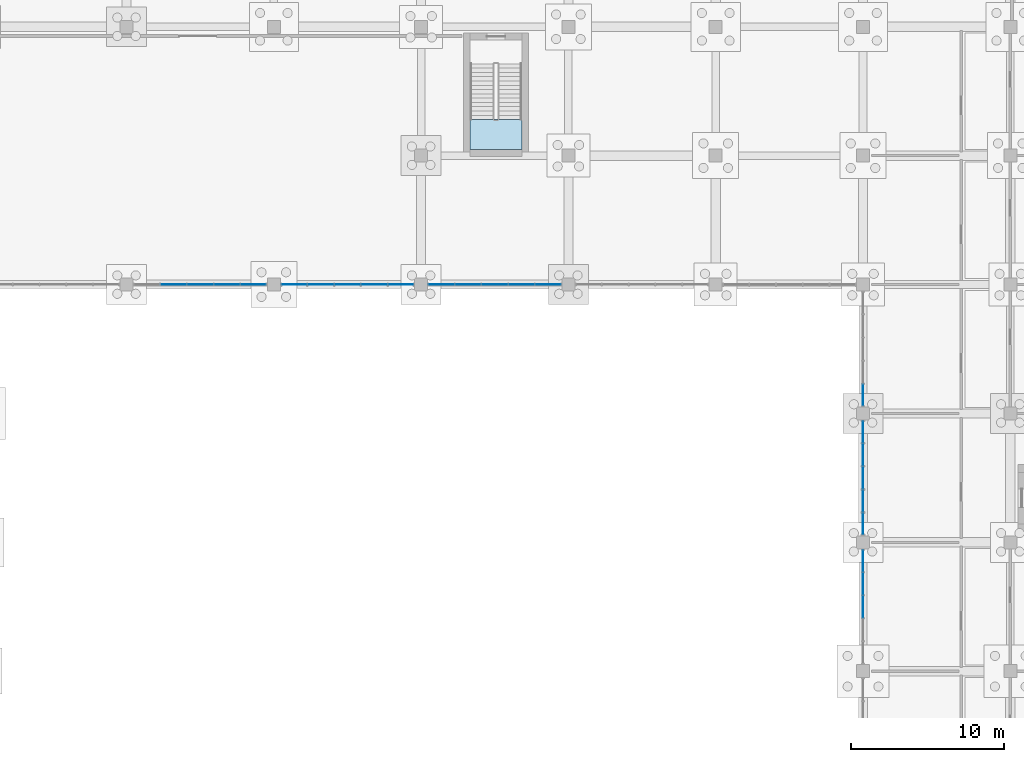
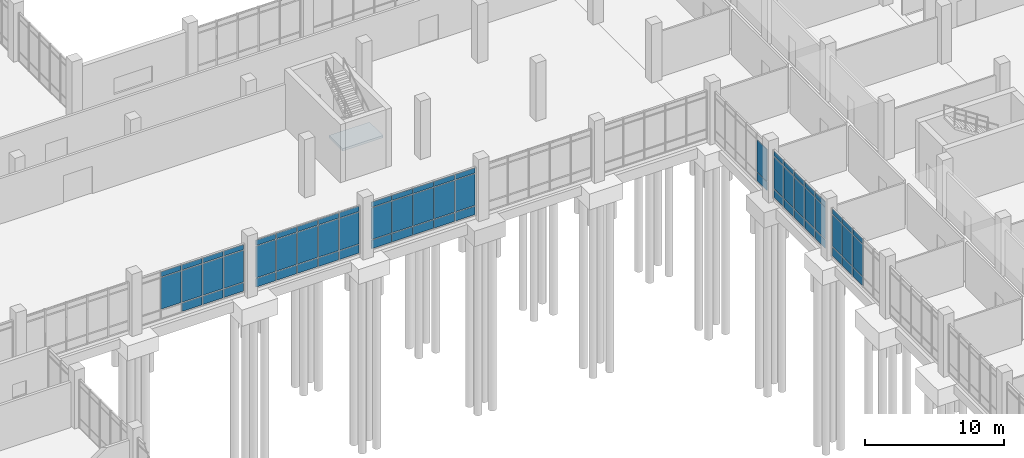
# One storey, part 79 of 136: 67 plates, 1 slab, 7 elements without a shape of their own.
"""IFC4 building model written with IfcOpenShell, lengths in metres."""

from ifc_helpers import new_model, si_unit, direction, frame, origin, origin_2d, place, context, subcontext, project, spatial, polyline, rectangle, outline, extrude, material, layer, layer_set, type_object, element, aggregate, save


model = new_model("IFC4")

# Units and contexts
model_context = context("Model", 3, precision=1e-05, world=origin(), true_north=direction((0.0, 1.0)))
body_context = subcontext(model_context, "Body", "Model", "MODEL_VIEW")
ifc_project = project(units=[si_unit("LENGTHUNIT", "METRE"), si_unit("AREAUNIT", "SQUARE_METRE"), si_unit("VOLUMEUNIT", "CUBIC_METRE"), si_unit("PLANEANGLEUNIT", "RADIAN"), si_unit("MASSUNIT", "GRAM", prefix="KILO")], contexts=[model_context])

# Site, building, storey
site_placement = place(None, origin())
site = spatial("IfcSite", under=ifc_project, at=site_placement, CompositionType="ELEMENT")
building_placement = place(site_placement, origin())
building = spatial("IfcBuilding", under=site, at=building_placement, Name="Oolite Switchyard Hospital", CompositionType="ELEMENT")
storey_placement = place(building_placement, origin())
storey = spatial("IfcBuildingStorey", under=building, at=storey_placement, Name="L00", CompositionType="ELEMENT", Elevation=0.0)

# Curtain wall, plates
ifc_material_1 = material(Name="Thermally broken aluminum frame with laminated impact glazing", Category="aluminium")
curtain_wall_type_1 = type_object("IfcCurtainWallType", Name="CW-UNIT-96X51", PredefinedType="USERDEFINED", material=ifc_material_1)
curtain_wall_1_placement = place(storey_placement, origin())
curtain_wall_1 = element("IfcCurtainWall", 1, at=curtain_wall_1_placement, inside=storey, type_object=curtain_wall_type_1, Name="L00 Unitised Curtain Wall 33", ObjectType="UNITISED", PredefinedType="USERDEFINED")
ifc_material_2 = material(Name="Insulated fluoropolymer-coated aluminum spandrel panel", Category="aluminium")
ifc_layer_1 = layer(ifc_material_2, 0.054931640625)
ifc_layer_set_1 = layer_set([ifc_layer_1], Name="CW-PNL-SPN55")
plate_type_1 = type_object("IfcPlateType", Name="CW-PNL-SPN55", PredefinedType="CURTAIN_PANEL", material=ifc_layer_set_1)
plate_1_placement = place(storey_placement, frame((94.673095703125, 84.0, 0.0751953125), z_axis=(0.0, 0.0, 1.0), x_axis=(-1.0, 0.0, 0.0)))
plate_1 = element("IfcPlate", 2, at=plate_1_placement, type_object=plate_type_1, Name="CW-01 panel 1.1", PredefinedType="CURTAIN_PANEL", context=body_context, shape_type="SweptSolid", body=[
    extrude(rectangle(XDim=1.654052734375, YDim=0.054931640625, at=origin_2d()), origin(), (0.0, 0.0, 1.0), 0.737548828125),
])
plate_2_placement = place(storey_placement, frame((94.673095703125, 84.0, 0.8876953125), z_axis=(0.0, 0.0, 1.0), x_axis=(-1.0, 0.0, 0.0)))
plate_2 = element("IfcPlate", 3, at=plate_2_placement, type_object=plate_type_1, Name="CW-01 panel 1.2", PredefinedType="CURTAIN_PANEL", context=body_context, shape_type="SweptSolid", body=[
    extrude(rectangle(XDim=1.654052734375, YDim=0.054931640625, at=origin_2d()), origin(), (0.0, 0.0, 1.0), 2.764892578125),
])
plate_3_placement = place(storey_placement, frame((94.673095703125, 84.0, 3.7275390625), z_axis=(0.0, 0.0, 1.0), x_axis=(-1.0, 0.0, 0.0)))
plate_3 = element("IfcPlate", 4, at=plate_3_placement, type_object=plate_type_1, Name="CW-01 panel 1.3", PredefinedType="CURTAIN_PANEL", context=body_context, shape_type="SweptSolid", body=[
    extrude(rectangle(XDim=1.654052734375, YDim=0.054931640625, at=origin_2d()), origin(), (0.0, 0.0, 1.0), 0.4375),
])
plate_4_placement = place(storey_placement, frame((92.944091796875, 84.0, 0.0751953125), z_axis=(0.0, 0.0, 1.0), x_axis=(-1.0, 0.0, 0.0)))
plate_4 = element("IfcPlate", 5, at=plate_4_placement, type_object=plate_type_1, Name="CW-01 panel 2.1", PredefinedType="CURTAIN_PANEL", context=body_context, shape_type="SweptSolid", body=[
    extrude(rectangle(XDim=1.68408203125, YDim=0.054931640625, at=origin_2d()), origin(), (0.0, 0.0, 1.0), 0.737548828125),
])
plate_5_placement = place(storey_placement, frame((92.944091796875, 84.0, 0.8876953125), z_axis=(0.0, 0.0, 1.0), x_axis=(-1.0, 0.0, 0.0)))
plate_5 = element("IfcPlate", 6, at=plate_5_placement, type_object=plate_type_1, Name="CW-01 panel 2.2", PredefinedType="CURTAIN_PANEL", context=body_context, shape_type="SweptSolid", body=[
    extrude(rectangle(XDim=1.68408203125, YDim=0.054931640625, at=origin_2d()), origin(), (0.0, 0.0, 1.0), 2.764892578125),
])
plate_6_placement = place(storey_placement, frame((92.944091796875, 84.0, 3.7275390625), z_axis=(0.0, 0.0, 1.0), x_axis=(-1.0, 0.0, 0.0)))
plate_6 = element("IfcPlate", 7, at=plate_6_placement, type_object=plate_type_1, Name="CW-01 panel 2.3", PredefinedType="CURTAIN_PANEL", context=body_context, shape_type="SweptSolid", body=[
    extrude(rectangle(XDim=1.68408203125, YDim=0.054931640625, at=origin_2d()), origin(), (0.0, 0.0, 1.0), 0.4375),
])
plate_7_placement = place(storey_placement, frame((91.199951171875, 84.0, 0.0751953125), z_axis=(0.0, 0.0, 1.0), x_axis=(-1.0, 0.0, 0.0)))
plate_7 = element("IfcPlate", 8, at=plate_7_placement, type_object=plate_type_1, Name="CW-01 panel 3.1", PredefinedType="CURTAIN_PANEL", context=body_context, shape_type="SweptSolid", body=[
    extrude(rectangle(XDim=1.68408203125, YDim=0.054931640625, at=origin_2d()), origin(), (0.0, 0.0, 1.0), 0.737548828125),
])
plate_8_placement = place(storey_placement, frame((91.199951171875, 84.0, 0.8876953125), z_axis=(0.0, 0.0, 1.0), x_axis=(-1.0, 0.0, 0.0)))
plate_8 = element("IfcPlate", 9, at=plate_8_placement, type_object=plate_type_1, Name="CW-01 panel 3.2", PredefinedType="CURTAIN_PANEL", context=body_context, shape_type="SweptSolid", body=[
    extrude(rectangle(XDim=1.68408203125, YDim=0.054931640625, at=origin_2d()), origin(), (0.0, 0.0, 1.0), 2.764892578125),
])
plate_9_placement = place(storey_placement, frame((91.199951171875, 84.0, 3.7275390625), z_axis=(0.0, 0.0, 1.0), x_axis=(-1.0, 0.0, 0.0)))
plate_9 = element("IfcPlate", 10, at=plate_9_placement, type_object=plate_type_1, Name="CW-01 panel 3.3", PredefinedType="CURTAIN_PANEL", context=body_context, shape_type="SweptSolid", body=[
    extrude(rectangle(XDim=1.68408203125, YDim=0.054931640625, at=origin_2d()), origin(), (0.0, 0.0, 1.0), 0.4375),
])
plate_10_placement = place(storey_placement, frame((89.4560546875, 84.0, 0.0751953125), z_axis=(0.0, 0.0, 1.0), x_axis=(-1.0, 0.0, 0.0)))
plate_10 = element("IfcPlate", 11, at=plate_10_placement, type_object=plate_type_1, Name="CW-01 panel 4.1", PredefinedType="CURTAIN_PANEL", context=body_context, shape_type="SweptSolid", body=[
    extrude(rectangle(XDim=1.68408203125, YDim=0.054931640625, at=origin_2d()), origin(), (0.0, 0.0, 1.0), 0.737548828125),
])
plate_11_placement = place(storey_placement, frame((89.4560546875, 84.0, 0.8876953125), z_axis=(0.0, 0.0, 1.0), x_axis=(-1.0, 0.0, 0.0)))
plate_11 = element("IfcPlate", 12, at=plate_11_placement, type_object=plate_type_1, Name="CW-01 panel 4.2", PredefinedType="CURTAIN_PANEL", context=body_context, shape_type="SweptSolid", body=[
    extrude(rectangle(XDim=1.68408203125, YDim=0.054931640625, at=origin_2d()), origin(), (0.0, 0.0, 1.0), 2.764892578125),
])
plate_12_placement = place(storey_placement, frame((89.4560546875, 84.0, 3.7275390625), z_axis=(0.0, 0.0, 1.0), x_axis=(-1.0, 0.0, 0.0)))
plate_12 = element("IfcPlate", 13, at=plate_12_placement, type_object=plate_type_1, Name="CW-01 panel 4.3", PredefinedType="CURTAIN_PANEL", context=body_context, shape_type="SweptSolid", body=[
    extrude(rectangle(XDim=1.68408203125, YDim=0.054931640625, at=origin_2d()), origin(), (0.0, 0.0, 1.0), 0.4375),
])
plate_13_placement = place(storey_placement, frame((87.72705078125, 84.0, 0.0751953125), z_axis=(0.0, 0.0, 1.0), x_axis=(-1.0, 0.0, 0.0)))
plate_13 = element("IfcPlate", 14, at=plate_13_placement, type_object=plate_type_1, Name="CW-01 panel 5.1", PredefinedType="CURTAIN_PANEL", context=body_context, shape_type="SweptSolid", body=[
    extrude(rectangle(XDim=1.654052734375, YDim=0.054931640625, at=origin_2d()), origin(), (0.0, 0.0, 1.0), 0.737548828125),
])
plate_14_placement = place(storey_placement, frame((87.72705078125, 84.0, 0.8876953125), z_axis=(0.0, 0.0, 1.0), x_axis=(-1.0, 0.0, 0.0)))
plate_14 = element("IfcPlate", 15, at=plate_14_placement, type_object=plate_type_1, Name="CW-01 panel 5.2", PredefinedType="CURTAIN_PANEL", context=body_context, shape_type="SweptSolid", body=[
    extrude(rectangle(XDim=1.654052734375, YDim=0.054931640625, at=origin_2d()), origin(), (0.0, 0.0, 1.0), 2.764892578125),
])
plate_15_placement = place(storey_placement, frame((87.72705078125, 84.0, 3.7275390625), z_axis=(0.0, 0.0, 1.0), x_axis=(-1.0, 0.0, 0.0)))
plate_15 = element("IfcPlate", 16, at=plate_15_placement, type_object=plate_type_1, Name="CW-01 panel 5.3", PredefinedType="CURTAIN_PANEL", context=body_context, shape_type="SweptSolid", body=[
    extrude(rectangle(XDim=1.654052734375, YDim=0.054931640625, at=origin_2d()), origin(), (0.0, 0.0, 1.0), 0.4375),
])
aggregate(curtain_wall_1, [plate_1, plate_2, plate_3, plate_4, plate_5, plate_6, plate_7, plate_8, plate_9, plate_10, plate_11, plate_12, plate_13, plate_14, plate_15])

curtain_wall_type_2 = type_object("IfcCurtainWallType", Name="CW-UNIT-84X51", PredefinedType="USERDEFINED", material=ifc_material_1)
curtain_wall_2_placement = place(storey_placement, origin())
curtain_wall_2 = element("IfcCurtainWall", 17, at=curtain_wall_2_placement, inside=storey, type_object=curtain_wall_type_2, Name="L00 Unitised Curtain Wall 72", ObjectType="UNITISED", PredefinedType="USERDEFINED")
plate_16_placement = place(storey_placement, frame((115.199951171875, 76.806884765625, 0.06005859375), z_axis=(0.0, 0.0, 1.0), x_axis=(0.0, 1.0, 0.0)))
plate_16 = element("IfcPlate", 18, at=plate_16_placement, type_object=plate_type_1, Name="CW-06 panel 1.1", PredefinedType="CURTAIN_PANEL", context=body_context, shape_type="SweptSolid", body=[
    extrude(rectangle(XDim=1.4140625, YDim=0.054931640625, at=origin_2d()), origin(), (0.0, 0.0, 1.0), 0.760009765625),
])
plate_17_placement = place(storey_placement, frame((115.199951171875, 76.806884765625, 0.8798828125), z_axis=(0.0, 0.0, 1.0), x_axis=(0.0, 1.0, 0.0)))
plate_17 = element("IfcPlate", 19, at=plate_17_placement, type_object=plate_type_1, Name="CW-06 panel 1.2", PredefinedType="CURTAIN_PANEL", context=body_context, shape_type="SweptSolid", body=[
    extrude(rectangle(XDim=1.4140625, YDim=0.054931640625, at=origin_2d()), origin(), (0.0, 0.0, 1.0), 2.780029296875),
])
aggregate(curtain_wall_2, [plate_16, plate_17])

curtain_wall_3_placement = place(storey_placement, origin())
curtain_wall_3 = element("IfcCurtainWall", 20, at=curtain_wall_3_placement, inside=storey, type_object=curtain_wall_type_1, Name="L00 Unitised Curtain Wall 31", ObjectType="UNITISED", PredefinedType="USERDEFINED")
ifc_material_3 = material(Name="Laminated hurricane-impact insulated glazing unit", Category="glass")
ifc_layer_2 = layer(ifc_material_3, 0.028076171875)
ifc_layer_set_2 = layer_set([ifc_layer_2], Name="CW-PNL-VIS28")
plate_type_2 = type_object("IfcPlateType", Name="CW-PNL-VIS28", PredefinedType="CURTAIN_PANEL", material=ifc_layer_set_2)
plate_18_placement = place(storey_placement, frame((75.470458984375, 84.0, 0.0751953125), z_axis=(0.0, 0.0, 1.0), x_axis=(-1.0, 0.0, 0.0)))
plate_18 = element("IfcPlate", 21, at=plate_18_placement, type_object=plate_type_2, Name="CW-01 panel 1.1", PredefinedType="CURTAIN_PANEL", context=body_context, shape_type="SweptSolid", body=[
    extrude(rectangle(XDim=1.638916015625, YDim=0.028076171875, at=origin_2d()), origin(), (0.0, 0.0, 1.0), 0.737548828125),
])
plate_19_placement = place(storey_placement, frame((75.470458984375, 84.0, 0.8876953125), z_axis=(0.0, 0.0, 1.0), x_axis=(-1.0, 0.0, 0.0)))
plate_19 = element("IfcPlate", 22, at=plate_19_placement, type_object=plate_type_2, Name="CW-01 panel 1.2", PredefinedType="CURTAIN_PANEL", context=body_context, shape_type="SweptSolid", body=[
    extrude(rectangle(XDim=1.638916015625, YDim=0.028076171875, at=origin_2d()), origin(), (0.0, 0.0, 1.0), 2.764892578125),
])
plate_20_placement = place(storey_placement, frame((75.470458984375, 84.0, 3.7275390625), z_axis=(0.0, 0.0, 1.0), x_axis=(-1.0, 0.0, 0.0)))
plate_20 = element("IfcPlate", 23, at=plate_20_placement, type_object=plate_type_2, Name="CW-01 panel 1.3", PredefinedType="CURTAIN_PANEL", context=body_context, shape_type="SweptSolid", body=[
    extrude(rectangle(XDim=1.638916015625, YDim=0.028076171875, at=origin_2d()), origin(), (0.0, 0.0, 1.0), 0.4375),
])
plate_21_placement = place(storey_placement, frame((73.743896484375, 84.0, 0.0751953125), z_axis=(0.0, 0.0, 1.0), x_axis=(-1.0, 0.0, 0.0)))
plate_21 = element("IfcPlate", 24, at=plate_21_placement, type_object=plate_type_2, Name="CW-01 panel 2.1", PredefinedType="CURTAIN_PANEL", context=body_context, shape_type="SweptSolid", body=[
    extrude(rectangle(XDim=1.674072265625, YDim=0.028076171875, at=origin_2d()), origin(), (0.0, 0.0, 1.0), 0.737548828125),
])
plate_22_placement = place(storey_placement, frame((73.743896484375, 84.0, 0.8876953125), z_axis=(0.0, 0.0, 1.0), x_axis=(-1.0, 0.0, 0.0)))
plate_22 = element("IfcPlate", 25, at=plate_22_placement, type_object=plate_type_2, Name="CW-01 panel 2.2", PredefinedType="CURTAIN_PANEL", context=body_context, shape_type="SweptSolid", body=[
    extrude(rectangle(XDim=1.674072265625, YDim=0.028076171875, at=origin_2d()), origin(), (0.0, 0.0, 1.0), 2.764892578125),
])
plate_23_placement = place(storey_placement, frame((73.743896484375, 84.0, 3.7275390625), z_axis=(0.0, 0.0, 1.0), x_axis=(-1.0, 0.0, 0.0)))
plate_23 = element("IfcPlate", 26, at=plate_23_placement, type_object=plate_type_2, Name="CW-01 panel 2.3", PredefinedType="CURTAIN_PANEL", context=body_context, shape_type="SweptSolid", body=[
    extrude(rectangle(XDim=1.674072265625, YDim=0.028076171875, at=origin_2d()), origin(), (0.0, 0.0, 1.0), 0.4375),
])
plate_24_placement = place(storey_placement, frame((72.0, 84.0, 0.0751953125), z_axis=(0.0, 0.0, 1.0), x_axis=(-1.0, 0.0, 0.0)))
plate_24 = element("IfcPlate", 27, at=plate_24_placement, type_object=plate_type_2, Name="CW-01 panel 3.1", PredefinedType="CURTAIN_PANEL", context=body_context, shape_type="SweptSolid", body=[
    extrude(rectangle(XDim=1.674072265625, YDim=0.028076171875, at=origin_2d()), origin(), (0.0, 0.0, 1.0), 0.737548828125),
])
plate_25_placement = place(storey_placement, frame((72.0, 84.0, 0.8876953125), z_axis=(0.0, 0.0, 1.0), x_axis=(-1.0, 0.0, 0.0)))
plate_25 = element("IfcPlate", 28, at=plate_25_placement, type_object=plate_type_2, Name="CW-01 panel 3.2", PredefinedType="CURTAIN_PANEL", context=body_context, shape_type="SweptSolid", body=[
    extrude(rectangle(XDim=1.674072265625, YDim=0.028076171875, at=origin_2d()), origin(), (0.0, 0.0, 1.0), 2.764892578125),
])
plate_26_placement = place(storey_placement, frame((72.0, 84.0, 3.7275390625), z_axis=(0.0, 0.0, 1.0), x_axis=(-1.0, 0.0, 0.0)))
plate_26 = element("IfcPlate", 29, at=plate_26_placement, type_object=plate_type_2, Name="CW-01 panel 3.3", PredefinedType="CURTAIN_PANEL", context=body_context, shape_type="SweptSolid", body=[
    extrude(rectangle(XDim=1.674072265625, YDim=0.028076171875, at=origin_2d()), origin(), (0.0, 0.0, 1.0), 0.4375),
])
plate_27_placement = place(storey_placement, frame((70.256103515625, 84.0, 0.8876953125), z_axis=(0.0, 0.0, 1.0), x_axis=(-1.0, 0.0, 0.0)))
plate_27 = element("IfcPlate", 30, at=plate_27_placement, type_object=plate_type_2, Name="CW-01 panel 4.2", PredefinedType="CURTAIN_PANEL", context=body_context, shape_type="SweptSolid", body=[
    extrude(rectangle(XDim=1.674072265625, YDim=0.028076171875, at=origin_2d()), origin(), (0.0, 0.0, 1.0), 2.764892578125),
])
plate_28_placement = place(storey_placement, frame((70.256103515625, 84.0, 3.7275390625), z_axis=(0.0, 0.0, 1.0), x_axis=(-1.0, 0.0, 0.0)))
plate_28 = element("IfcPlate", 31, at=plate_28_placement, type_object=plate_type_2, Name="CW-01 panel 4.3", PredefinedType="CURTAIN_PANEL", context=body_context, shape_type="SweptSolid", body=[
    extrude(rectangle(XDim=1.674072265625, YDim=0.028076171875, at=origin_2d()), origin(), (0.0, 0.0, 1.0), 0.4375),
])
aggregate(curtain_wall_3, [plate_18, plate_19, plate_20, plate_21, plate_22, plate_23, plate_24, plate_25, plate_26, plate_27, plate_28])

curtain_wall_4_placement = place(storey_placement, origin())
curtain_wall_4 = element("IfcCurtainWall", 32, at=curtain_wall_4_placement, inside=storey, type_object=curtain_wall_type_2, Name="L00 Unitised Curtain Wall 70", ObjectType="UNITISED", PredefinedType="USERDEFINED")
plate_29_placement = place(storey_placement, frame((115.199951171875, 63.0, 0.06005859375), z_axis=(0.0, 0.0, 1.0), x_axis=(0.0, 1.0, 0.0)))
plate_29 = element("IfcPlate", 33, at=plate_29_placement, type_object=plate_type_2, Name="CW-06 panel 3.1", PredefinedType="CURTAIN_PANEL", context=body_context, shape_type="SweptSolid", body=[
    extrude(rectangle(XDim=1.43408203125, YDim=0.028076171875, at=origin_2d()), origin(), (0.0, 0.0, 1.0), 0.760009765625),
])
plate_30_placement = place(storey_placement, frame((115.199951171875, 63.0, 0.8798828125), z_axis=(0.0, 0.0, 1.0), x_axis=(0.0, 1.0, 0.0)))
plate_30 = element("IfcPlate", 34, at=plate_30_placement, type_object=plate_type_2, Name="CW-06 panel 3.2", PredefinedType="CURTAIN_PANEL", context=body_context, shape_type="SweptSolid", body=[
    extrude(rectangle(XDim=1.43408203125, YDim=0.028076171875, at=origin_2d()), origin(), (0.0, 0.0, 1.0), 2.780029296875),
])
plate_31_placement = place(storey_placement, frame((115.199951171875, 63.0, 3.719970703125), z_axis=(0.0, 0.0, 1.0), x_axis=(0.0, 1.0, 0.0)))
plate_31 = element("IfcPlate", 35, at=plate_31_placement, type_object=plate_type_2, Name="CW-06 panel 3.3", PredefinedType="CURTAIN_PANEL", context=body_context, shape_type="SweptSolid", body=[
    extrude(rectangle(XDim=1.43408203125, YDim=0.028076171875, at=origin_2d()), origin(), (0.0, 0.0, 1.0), 0.4599609375),
])
plate_32_placement = place(storey_placement, frame((115.199951171875, 64.50390625, 0.06005859375), z_axis=(0.0, 0.0, 1.0), x_axis=(0.0, 1.0, 0.0)))
plate_32 = element("IfcPlate", 36, at=plate_32_placement, type_object=plate_type_2, Name="CW-06 panel 4.1", PredefinedType="CURTAIN_PANEL", context=body_context, shape_type="SweptSolid", body=[
    extrude(rectangle(XDim=1.43408203125, YDim=0.028076171875, at=origin_2d()), origin(), (0.0, 0.0, 1.0), 0.760009765625),
])
plate_33_placement = place(storey_placement, frame((115.199951171875, 64.50390625, 0.8798828125), z_axis=(0.0, 0.0, 1.0), x_axis=(0.0, 1.0, 0.0)))
plate_33 = element("IfcPlate", 37, at=plate_33_placement, type_object=plate_type_2, Name="CW-06 panel 4.2", PredefinedType="CURTAIN_PANEL", context=body_context, shape_type="SweptSolid", body=[
    extrude(rectangle(XDim=1.43408203125, YDim=0.028076171875, at=origin_2d()), origin(), (0.0, 0.0, 1.0), 2.780029296875),
])
plate_34_placement = place(storey_placement, frame((115.199951171875, 64.50390625, 3.719970703125), z_axis=(0.0, 0.0, 1.0), x_axis=(0.0, 1.0, 0.0)))
plate_34 = element("IfcPlate", 38, at=plate_34_placement, type_object=plate_type_2, Name="CW-06 panel 4.3", PredefinedType="CURTAIN_PANEL", context=body_context, shape_type="SweptSolid", body=[
    extrude(rectangle(XDim=1.43408203125, YDim=0.028076171875, at=origin_2d()), origin(), (0.0, 0.0, 1.0), 0.4599609375),
])
plate_35_placement = place(storey_placement, frame((115.199951171875, 65.990478515625, 0.06005859375), z_axis=(0.0, 0.0, 1.0), x_axis=(0.0, 1.0, 0.0)))
plate_35 = element("IfcPlate", 39, at=plate_35_placement, type_object=plate_type_2, Name="CW-06 panel 5.1", PredefinedType="CURTAIN_PANEL", context=body_context, shape_type="SweptSolid", body=[
    extrude(rectangle(XDim=1.39892578125, YDim=0.028076171875, at=origin_2d()), origin(), (0.0, 0.0, 1.0), 0.760009765625),
])
plate_36_placement = place(storey_placement, frame((115.199951171875, 65.990478515625, 0.8798828125), z_axis=(0.0, 0.0, 1.0), x_axis=(0.0, 1.0, 0.0)))
plate_36 = element("IfcPlate", 40, at=plate_36_placement, type_object=plate_type_2, Name="CW-06 panel 5.2", PredefinedType="CURTAIN_PANEL", context=body_context, shape_type="SweptSolid", body=[
    extrude(rectangle(XDim=1.39892578125, YDim=0.028076171875, at=origin_2d()), origin(), (0.0, 0.0, 1.0), 2.780029296875),
])
plate_37_placement = place(storey_placement, frame((115.199951171875, 65.990478515625, 3.719970703125), z_axis=(0.0, 0.0, 1.0), x_axis=(0.0, 1.0, 0.0)))
plate_37 = element("IfcPlate", 41, at=plate_37_placement, type_object=plate_type_2, Name="CW-06 panel 5.3", PredefinedType="CURTAIN_PANEL", context=body_context, shape_type="SweptSolid", body=[
    extrude(rectangle(XDim=1.39892578125, YDim=0.028076171875, at=origin_2d()), origin(), (0.0, 0.0, 1.0), 0.4599609375),
])
aggregate(curtain_wall_4, [plate_29, plate_30, plate_31, plate_32, plate_33, plate_34, plate_35, plate_36, plate_37])

curtain_wall_5_placement = place(storey_placement, origin())
curtain_wall_5 = element("IfcCurtainWall", 42, at=curtain_wall_5_placement, inside=storey, type_object=curtain_wall_type_1, Name="L00 Unitised Curtain Wall 32", ObjectType="UNITISED", PredefinedType="USERDEFINED")
ifc_layer_3 = layer(ifc_material_3, 0.035888671875)
ifc_layer_set_3 = layer_set([ifc_layer_3], Name="CW-PNL-VIS36")
plate_type_3 = type_object("IfcPlateType", Name="CW-PNL-VIS36", PredefinedType="CURTAIN_PANEL", material=ifc_layer_set_3)
plate_38_placement = place(storey_placement, frame((85.0693359375, 84.0, 0.06005859375), z_axis=(0.0, 0.0, 1.0), x_axis=(-1.0, 0.0, 0.0)))
plate_38 = element("IfcPlate", 43, at=plate_38_placement, type_object=plate_type_3, Name="CW-01 panel 1.1", PredefinedType="CURTAIN_PANEL", context=body_context, shape_type="SweptSolid", body=[
    extrude(rectangle(XDim=1.631591796875, YDim=0.035888671875, at=origin_2d()), origin(), (0.0, 0.0, 1.0), 0.760009765625),
])
plate_39_placement = place(storey_placement, frame((85.0693359375, 84.0, 0.8798828125), z_axis=(0.0, 0.0, 1.0), x_axis=(-1.0, 0.0, 0.0)))
plate_39 = element("IfcPlate", 44, at=plate_39_placement, type_object=plate_type_3, Name="CW-01 panel 1.2", PredefinedType="CURTAIN_PANEL", context=body_context, shape_type="SweptSolid", body=[
    extrude(rectangle(XDim=1.631591796875, YDim=0.035888671875, at=origin_2d()), origin(), (0.0, 0.0, 1.0), 2.780029296875),
])
plate_40_placement = place(storey_placement, frame((85.0693359375, 84.0, 3.719970703125), z_axis=(0.0, 0.0, 1.0), x_axis=(-1.0, 0.0, 0.0)))
plate_40 = element("IfcPlate", 45, at=plate_40_placement, type_object=plate_type_3, Name="CW-01 panel 1.3", PredefinedType="CURTAIN_PANEL", context=body_context, shape_type="SweptSolid", body=[
    extrude(rectangle(XDim=1.631591796875, YDim=0.035888671875, at=origin_2d()), origin(), (0.0, 0.0, 1.0), 0.4599609375),
])
plate_41_placement = place(storey_placement, frame((83.343994140625, 84.0, 0.06005859375), z_axis=(0.0, 0.0, 1.0), x_axis=(-1.0, 0.0, 0.0)))
plate_41 = element("IfcPlate", 46, at=plate_41_placement, type_object=plate_type_3, Name="CW-01 panel 2.1", PredefinedType="CURTAIN_PANEL", context=body_context, shape_type="SweptSolid", body=[
    extrude(rectangle(XDim=1.6689453125, YDim=0.035888671875, at=origin_2d()), origin(), (0.0, 0.0, 1.0), 0.760009765625),
])
plate_42_placement = place(storey_placement, frame((83.343994140625, 84.0, 0.8798828125), z_axis=(0.0, 0.0, 1.0), x_axis=(-1.0, 0.0, 0.0)))
plate_42 = element("IfcPlate", 47, at=plate_42_placement, type_object=plate_type_3, Name="CW-01 panel 2.2", PredefinedType="CURTAIN_PANEL", context=body_context, shape_type="SweptSolid", body=[
    extrude(rectangle(XDim=1.6689453125, YDim=0.035888671875, at=origin_2d()), origin(), (0.0, 0.0, 1.0), 2.780029296875),
])
plate_43_placement = place(storey_placement, frame((83.343994140625, 84.0, 3.719970703125), z_axis=(0.0, 0.0, 1.0), x_axis=(-1.0, 0.0, 0.0)))
plate_43 = element("IfcPlate", 48, at=plate_43_placement, type_object=plate_type_3, Name="CW-01 panel 2.3", PredefinedType="CURTAIN_PANEL", context=body_context, shape_type="SweptSolid", body=[
    extrude(rectangle(XDim=1.6689453125, YDim=0.035888671875, at=origin_2d()), origin(), (0.0, 0.0, 1.0), 0.4599609375),
])
plate_44_placement = place(storey_placement, frame((81.60009765625, 84.0, 0.06005859375), z_axis=(0.0, 0.0, 1.0), x_axis=(-1.0, 0.0, 0.0)))
plate_44 = element("IfcPlate", 49, at=plate_44_placement, type_object=plate_type_3, Name="CW-01 panel 3.1", PredefinedType="CURTAIN_PANEL", context=body_context, shape_type="SweptSolid", body=[
    extrude(rectangle(XDim=1.6689453125, YDim=0.035888671875, at=origin_2d()), origin(), (0.0, 0.0, 1.0), 0.760009765625),
])
plate_45_placement = place(storey_placement, frame((81.60009765625, 84.0, 0.8798828125), z_axis=(0.0, 0.0, 1.0), x_axis=(-1.0, 0.0, 0.0)))
plate_45 = element("IfcPlate", 50, at=plate_45_placement, type_object=plate_type_3, Name="CW-01 panel 3.2", PredefinedType="CURTAIN_PANEL", context=body_context, shape_type="SweptSolid", body=[
    extrude(rectangle(XDim=1.6689453125, YDim=0.035888671875, at=origin_2d()), origin(), (0.0, 0.0, 1.0), 2.780029296875),
])
plate_46_placement = place(storey_placement, frame((81.60009765625, 84.0, 3.719970703125), z_axis=(0.0, 0.0, 1.0), x_axis=(-1.0, 0.0, 0.0)))
plate_46 = element("IfcPlate", 51, at=plate_46_placement, type_object=plate_type_3, Name="CW-01 panel 3.3", PredefinedType="CURTAIN_PANEL", context=body_context, shape_type="SweptSolid", body=[
    extrude(rectangle(XDim=1.6689453125, YDim=0.035888671875, at=origin_2d()), origin(), (0.0, 0.0, 1.0), 0.4599609375),
])
plate_47_placement = place(storey_placement, frame((79.85595703125, 84.0, 0.06005859375), z_axis=(0.0, 0.0, 1.0), x_axis=(-1.0, 0.0, 0.0)))
plate_47 = element("IfcPlate", 52, at=plate_47_placement, type_object=plate_type_3, Name="CW-01 panel 4.1", PredefinedType="CURTAIN_PANEL", context=body_context, shape_type="SweptSolid", body=[
    extrude(rectangle(XDim=1.6689453125, YDim=0.035888671875, at=origin_2d()), origin(), (0.0, 0.0, 1.0), 0.760009765625),
])
plate_48_placement = place(storey_placement, frame((79.85595703125, 84.0, 0.8798828125), z_axis=(0.0, 0.0, 1.0), x_axis=(-1.0, 0.0, 0.0)))
plate_48 = element("IfcPlate", 53, at=plate_48_placement, type_object=plate_type_3, Name="CW-01 panel 4.2", PredefinedType="CURTAIN_PANEL", context=body_context, shape_type="SweptSolid", body=[
    extrude(rectangle(XDim=1.6689453125, YDim=0.035888671875, at=origin_2d()), origin(), (0.0, 0.0, 1.0), 2.780029296875),
])
plate_49_placement = place(storey_placement, frame((79.85595703125, 84.0, 3.719970703125), z_axis=(0.0, 0.0, 1.0), x_axis=(-1.0, 0.0, 0.0)))
plate_49 = element("IfcPlate", 54, at=plate_49_placement, type_object=plate_type_3, Name="CW-01 panel 4.3", PredefinedType="CURTAIN_PANEL", context=body_context, shape_type="SweptSolid", body=[
    extrude(rectangle(XDim=1.6689453125, YDim=0.035888671875, at=origin_2d()), origin(), (0.0, 0.0, 1.0), 0.4599609375),
])
plate_50_placement = place(storey_placement, frame((78.130859375, 84.0, 0.06005859375), z_axis=(0.0, 0.0, 1.0), x_axis=(-1.0, 0.0, 0.0)))
plate_50 = element("IfcPlate", 55, at=plate_50_placement, type_object=plate_type_3, Name="CW-01 panel 5.1", PredefinedType="CURTAIN_PANEL", context=body_context, shape_type="SweptSolid", body=[
    extrude(rectangle(XDim=1.631591796875, YDim=0.035888671875, at=origin_2d()), origin(), (0.0, 0.0, 1.0), 0.760009765625),
])
plate_51_placement = place(storey_placement, frame((78.130859375, 84.0, 0.8798828125), z_axis=(0.0, 0.0, 1.0), x_axis=(-1.0, 0.0, 0.0)))
plate_51 = element("IfcPlate", 56, at=plate_51_placement, type_object=plate_type_3, Name="CW-01 panel 5.2", PredefinedType="CURTAIN_PANEL", context=body_context, shape_type="SweptSolid", body=[
    extrude(rectangle(XDim=1.631591796875, YDim=0.035888671875, at=origin_2d()), origin(), (0.0, 0.0, 1.0), 2.780029296875),
])
plate_52_placement = place(storey_placement, frame((78.130859375, 84.0, 3.719970703125), z_axis=(0.0, 0.0, 1.0), x_axis=(-1.0, 0.0, 0.0)))
plate_52 = element("IfcPlate", 57, at=plate_52_placement, type_object=plate_type_3, Name="CW-01 panel 5.3", PredefinedType="CURTAIN_PANEL", context=body_context, shape_type="SweptSolid", body=[
    extrude(rectangle(XDim=1.631591796875, YDim=0.035888671875, at=origin_2d()), origin(), (0.0, 0.0, 1.0), 0.4599609375),
])
aggregate(curtain_wall_5, [plate_38, plate_39, plate_40, plate_41, plate_42, plate_43, plate_44, plate_45, plate_46, plate_47, plate_48, plate_49, plate_50, plate_51, plate_52])

curtain_wall_6_placement = place(storey_placement, origin())
curtain_wall_6 = element("IfcCurtainWall", 58, at=curtain_wall_6_placement, inside=storey, type_object=curtain_wall_type_2, Name="L00 Unitised Curtain Wall 71", ObjectType="UNITISED", PredefinedType="USERDEFINED")
plate_53_placement = place(storey_placement, frame((115.199951171875, 68.41064453125, 0.0751953125), z_axis=(0.0, 0.0, 1.0), x_axis=(0.0, 1.0, 0.0)))
plate_53 = element("IfcPlate", 59, at=plate_53_placement, type_object=plate_type_3, Name="CW-06 panel 1.1", PredefinedType="CURTAIN_PANEL", context=body_context, shape_type="SweptSolid", body=[
    extrude(rectangle(XDim=1.3916015625, YDim=0.035888671875, at=origin_2d()), origin(), (0.0, 0.0, 1.0), 0.737548828125),
])
plate_54_placement = place(storey_placement, frame((115.199951171875, 68.41064453125, 0.8876953125), z_axis=(0.0, 0.0, 1.0), x_axis=(0.0, 1.0, 0.0)))
plate_54 = element("IfcPlate", 60, at=plate_54_placement, type_object=plate_type_3, Name="CW-06 panel 1.2", PredefinedType="CURTAIN_PANEL", context=body_context, shape_type="SweptSolid", body=[
    extrude(rectangle(XDim=1.3916015625, YDim=0.035888671875, at=origin_2d()), origin(), (0.0, 0.0, 1.0), 2.764892578125),
])
plate_55_placement = place(storey_placement, frame((115.199951171875, 68.41064453125, 3.7275390625), z_axis=(0.0, 0.0, 1.0), x_axis=(0.0, 1.0, 0.0)))
plate_55 = element("IfcPlate", 61, at=plate_55_placement, type_object=plate_type_3, Name="CW-06 panel 1.3", PredefinedType="CURTAIN_PANEL", context=body_context, shape_type="SweptSolid", body=[
    extrude(rectangle(XDim=1.3916015625, YDim=0.035888671875, at=origin_2d()), origin(), (0.0, 0.0, 1.0), 0.4375),
])
plate_56_placement = place(storey_placement, frame((115.199951171875, 69.89599609375, 0.0751953125), z_axis=(0.0, 0.0, 1.0), x_axis=(0.0, 1.0, 0.0)))
plate_56 = element("IfcPlate", 62, at=plate_56_placement, type_object=plate_type_3, Name="CW-06 panel 2.1", PredefinedType="CURTAIN_PANEL", context=body_context, shape_type="SweptSolid", body=[
    extrude(rectangle(XDim=1.428955078125, YDim=0.035888671875, at=origin_2d()), origin(), (0.0, 0.0, 1.0), 0.737548828125),
])
plate_57_placement = place(storey_placement, frame((115.199951171875, 69.89599609375, 0.8876953125), z_axis=(0.0, 0.0, 1.0), x_axis=(0.0, 1.0, 0.0)))
plate_57 = element("IfcPlate", 63, at=plate_57_placement, type_object=plate_type_3, Name="CW-06 panel 2.2", PredefinedType="CURTAIN_PANEL", context=body_context, shape_type="SweptSolid", body=[
    extrude(rectangle(XDim=1.428955078125, YDim=0.035888671875, at=origin_2d()), origin(), (0.0, 0.0, 1.0), 2.764892578125),
])
plate_58_placement = place(storey_placement, frame((115.199951171875, 69.89599609375, 3.7275390625), z_axis=(0.0, 0.0, 1.0), x_axis=(0.0, 1.0, 0.0)))
plate_58 = element("IfcPlate", 64, at=plate_58_placement, type_object=plate_type_3, Name="CW-06 panel 2.3", PredefinedType="CURTAIN_PANEL", context=body_context, shape_type="SweptSolid", body=[
    extrude(rectangle(XDim=1.428955078125, YDim=0.035888671875, at=origin_2d()), origin(), (0.0, 0.0, 1.0), 0.4375),
])
plate_59_placement = place(storey_placement, frame((115.199951171875, 71.39990234375, 0.0751953125), z_axis=(0.0, 0.0, 1.0), x_axis=(0.0, 1.0, 0.0)))
plate_59 = element("IfcPlate", 65, at=plate_59_placement, type_object=plate_type_3, Name="CW-06 panel 3.1", PredefinedType="CURTAIN_PANEL", context=body_context, shape_type="SweptSolid", body=[
    extrude(rectangle(XDim=1.428955078125, YDim=0.035888671875, at=origin_2d()), origin(), (0.0, 0.0, 1.0), 0.737548828125),
])
plate_60_placement = place(storey_placement, frame((115.199951171875, 71.39990234375, 0.8876953125), z_axis=(0.0, 0.0, 1.0), x_axis=(0.0, 1.0, 0.0)))
plate_60 = element("IfcPlate", 66, at=plate_60_placement, type_object=plate_type_3, Name="CW-06 panel 3.2", PredefinedType="CURTAIN_PANEL", context=body_context, shape_type="SweptSolid", body=[
    extrude(rectangle(XDim=1.428955078125, YDim=0.035888671875, at=origin_2d()), origin(), (0.0, 0.0, 1.0), 2.764892578125),
])
plate_61_placement = place(storey_placement, frame((115.199951171875, 71.39990234375, 3.7275390625), z_axis=(0.0, 0.0, 1.0), x_axis=(0.0, 1.0, 0.0)))
plate_61 = element("IfcPlate", 67, at=plate_61_placement, type_object=plate_type_3, Name="CW-06 panel 3.3", PredefinedType="CURTAIN_PANEL", context=body_context, shape_type="SweptSolid", body=[
    extrude(rectangle(XDim=1.428955078125, YDim=0.035888671875, at=origin_2d()), origin(), (0.0, 0.0, 1.0), 0.4375),
])
plate_62_placement = place(storey_placement, frame((115.199951171875, 72.904052734375, 0.0751953125), z_axis=(0.0, 0.0, 1.0), x_axis=(0.0, 1.0, 0.0)))
plate_62 = element("IfcPlate", 68, at=plate_62_placement, type_object=plate_type_3, Name="CW-06 panel 4.1", PredefinedType="CURTAIN_PANEL", context=body_context, shape_type="SweptSolid", body=[
    extrude(rectangle(XDim=1.428955078125, YDim=0.035888671875, at=origin_2d()), origin(), (0.0, 0.0, 1.0), 0.737548828125),
])
plate_63_placement = place(storey_placement, frame((115.199951171875, 72.904052734375, 0.8876953125), z_axis=(0.0, 0.0, 1.0), x_axis=(0.0, 1.0, 0.0)))
plate_63 = element("IfcPlate", 69, at=plate_63_placement, type_object=plate_type_3, Name="CW-06 panel 4.2", PredefinedType="CURTAIN_PANEL", context=body_context, shape_type="SweptSolid", body=[
    extrude(rectangle(XDim=1.428955078125, YDim=0.035888671875, at=origin_2d()), origin(), (0.0, 0.0, 1.0), 2.764892578125),
])
plate_64_placement = place(storey_placement, frame((115.199951171875, 72.904052734375, 3.7275390625), z_axis=(0.0, 0.0, 1.0), x_axis=(0.0, 1.0, 0.0)))
plate_64 = element("IfcPlate", 70, at=plate_64_placement, type_object=plate_type_3, Name="CW-06 panel 4.3", PredefinedType="CURTAIN_PANEL", context=body_context, shape_type="SweptSolid", body=[
    extrude(rectangle(XDim=1.428955078125, YDim=0.035888671875, at=origin_2d()), origin(), (0.0, 0.0, 1.0), 0.4375),
])
plate_65_placement = place(storey_placement, frame((115.199951171875, 74.38916015625, 0.0751953125), z_axis=(0.0, 0.0, 1.0), x_axis=(0.0, 1.0, 0.0)))
plate_65 = element("IfcPlate", 71, at=plate_65_placement, type_object=plate_type_3, Name="CW-06 panel 5.1", PredefinedType="CURTAIN_PANEL", context=body_context, shape_type="SweptSolid", body=[
    extrude(rectangle(XDim=1.3916015625, YDim=0.035888671875, at=origin_2d()), origin(), (0.0, 0.0, 1.0), 0.737548828125),
])
plate_66_placement = place(storey_placement, frame((115.199951171875, 74.38916015625, 0.8876953125), z_axis=(0.0, 0.0, 1.0), x_axis=(0.0, 1.0, 0.0)))
plate_66 = element("IfcPlate", 72, at=plate_66_placement, type_object=plate_type_3, Name="CW-06 panel 5.2", PredefinedType="CURTAIN_PANEL", context=body_context, shape_type="SweptSolid", body=[
    extrude(rectangle(XDim=1.3916015625, YDim=0.035888671875, at=origin_2d()), origin(), (0.0, 0.0, 1.0), 2.764892578125),
])
plate_67_placement = place(storey_placement, frame((115.199951171875, 74.38916015625, 3.7275390625), z_axis=(0.0, 0.0, 1.0), x_axis=(0.0, 1.0, 0.0)))
plate_67 = element("IfcPlate", 73, at=plate_67_placement, type_object=plate_type_3, Name="CW-06 panel 5.3", PredefinedType="CURTAIN_PANEL", context=body_context, shape_type="SweptSolid", body=[
    extrude(rectangle(XDim=1.3916015625, YDim=0.035888671875, at=origin_2d()), origin(), (0.0, 0.0, 1.0), 0.4375),
])
aggregate(curtain_wall_6, [plate_53, plate_54, plate_55, plate_56, plate_57, plate_58, plate_59, plate_60, plate_61, plate_62, plate_63, plate_64, plate_65, plate_66, plate_67])

# Stair, slab
ifc_material_4 = material(Name="Concrete C40/50", Category="concrete")
stair_type = type_object("IfcStairType", Name="STR-DL-156-R28", PredefinedType="HALF_TURN_STAIR", material=ifc_material_4)
stair_placement = place(storey_placement, origin())
stair = element("IfcStair", 74, at=stair_placement, inside=storey, type_object=stair_type, Name="L00 Exit Stair ST-09", PredefinedType="HALF_TURN_STAIR")
ifc_layer_4 = layer(ifc_material_4, 0.199951171875)
ifc_layer_set_4 = layer_set([ifc_layer_4], Name="SLB-LND-200")
slab_type = type_object("IfcSlabType", Name="SLB-LND-200", PredefinedType="LANDING", material=ifc_layer_set_4)
slab_placement = place(storey_placement, frame((0.0, 0.0, 2.35009765625)))
slab = element("IfcSlab", 75, at=slab_placement, type_object=slab_type, Name="ST-09 landing 1", PredefinedType="LANDING", context=body_context, shape_type="SweptSolid", body=[
    extrude(outline(polyline([(89.60009765625, 94.75), (89.60009765625, 92.800048828125), (92.9599609375, 92.800048828125), (92.9599609375, 94.75), (89.60009765625, 94.75)])), origin(), (0.0, 0.0, 1.0), 0.199951171875),
])
aggregate(stair, [slab])

save(model, "model.ifc")
